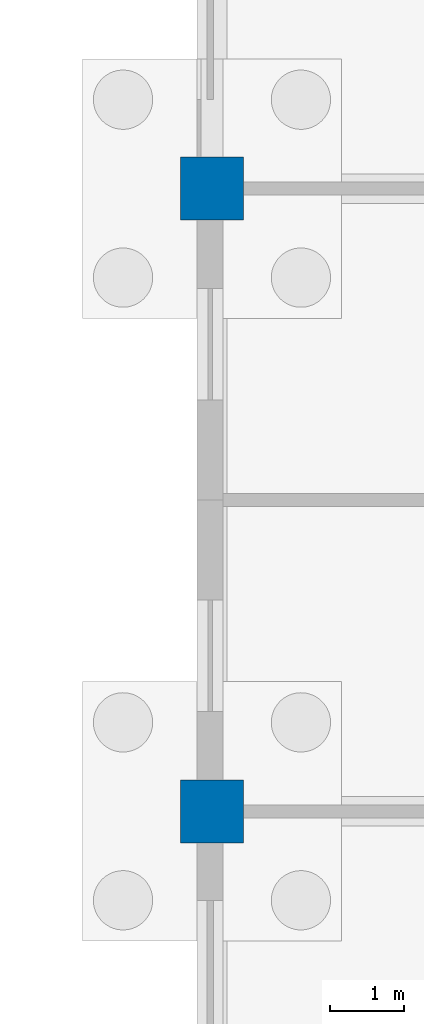
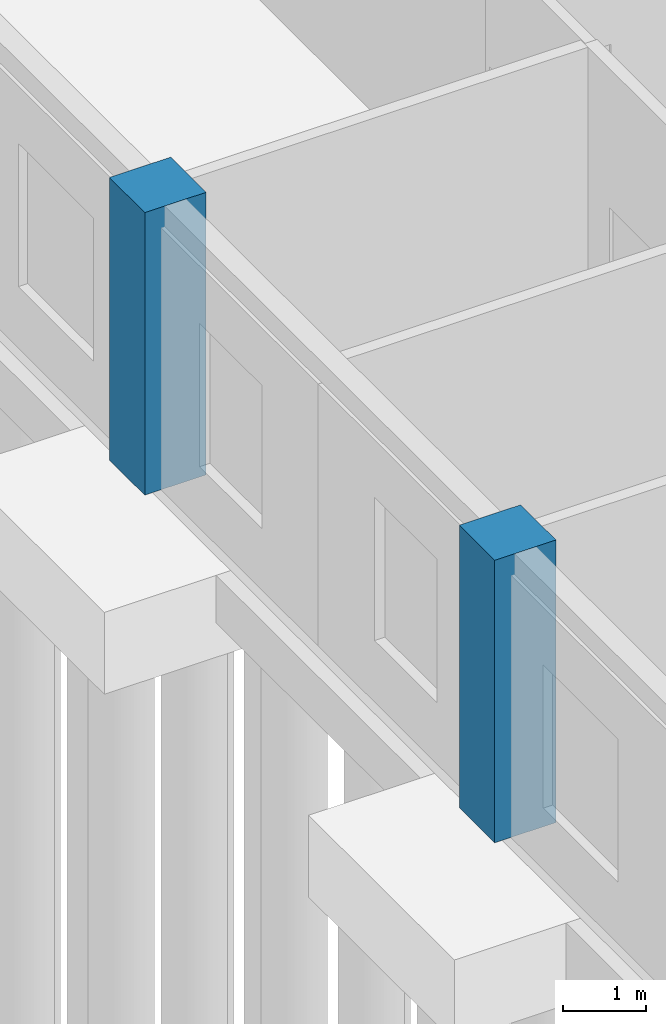
# One storey, part 27 of 138: 2 columns.
"""IFC4 building model written with IfcOpenShell, lengths in metres."""

import ifcopenshell
import ifcopenshell.guid

model = None  # the IFC model being written
_history = None  # IfcOwnerHistory: only IFC2X3 demands one
_inside = {}  # id of a spatial element -> (the spatial element, [elements in it])
_under = {}  # id of a project, library or spatial element -> (it, [spatial elements below it])
_declared = {}  # id of a project -> (the project, [libraries it declares])
_typed = {}  # id of a type object -> (the type object, [elements of that type])
_made_of = {}  # id of a material, layer set ... -> (it, [elements and type objects made of it])


def new_model(schema):
    """Start an empty IFC model of exactly this schema.

    Asked for "IFC4X3", IfcOpenShell would pick the latest addendum, in which some entities
    have other attributes; the version numbers below select the first issue.
    IFC2X3 requires an IfcOwnerHistory on every rooted entity: one is made here for all.
    """
    global model, _history
    if schema == "IFC4X3":
        model = ifcopenshell.file(schema_version=(4, 3, 0, 0))
    else:
        model = ifcopenshell.file(schema=schema)
    _inside.clear()
    _under.clear()
    _declared.clear()
    _typed.clear()
    _made_of.clear()
    _history = None
    if model.schema == "IFC2X3":
        org = make("IfcOrganization", Name="unknown")
        user = make(
            "IfcPersonAndOrganization",
            ThePerson=make("IfcPerson", FamilyName="unknown"),
            TheOrganization=org,
        )
        app = make(
            "IfcApplication",
            ApplicationDeveloper=org,
            Version="unknown",
            ApplicationFullName="unknown",
            ApplicationIdentifier="unknown",
        )
        _history = make(
            "IfcOwnerHistory",
            OwningUser=user,
            OwningApplication=app,
            ChangeAction="ADDED",
            CreationDate=0,
        )
    return model


def make(cls, **values):
    """One entity of the class cls with the attributes given. An attribute that is None is left unset."""
    return model.create_entity(
        cls, **{name: value for name, value in values.items() if value is not None}
    )


def rooted(cls, **values):
    """An entity with a GlobalId (a new one), such as an element, a storey or a relation."""
    return make(cls, GlobalId=ifcopenshell.guid.new(), OwnerHistory=_history, **values)


def si_unit(unit_type, name, prefix=None):
    """IfcSIUnit, for example si_unit("LENGTHUNIT", "METRE", prefix="MILLI")."""
    return make("IfcSIUnit", UnitType=unit_type, Prefix=prefix, Name=name)


def assignment(units):
    """IfcUnitAssignment: the units of a project."""
    return None if units is None else make("IfcUnitAssignment", Units=units)


def point(xyz):
    """IfcCartesianPoint."""
    return None if xyz is None else make("IfcCartesianPoint", Coordinates=xyz)


def direction(xyz):
    """IfcDirection."""
    return None if xyz is None else make("IfcDirection", DirectionRatios=xyz)


def frame(location, z_axis=None, x_axis=None):
    """IfcAxis2Placement3D, a coordinate frame: its origin and axes. An axis left out is left unset."""
    return make(
        "IfcAxis2Placement3D",
        Location=point(location),
        Axis=direction(z_axis),
        RefDirection=direction(x_axis),
    )


def frame_2d(location, x_axis=None):
    """IfcAxis2Placement2D, a coordinate frame in the plane: its origin and x axis."""
    return make(
        "IfcAxis2Placement2D", Location=point(location), RefDirection=direction(x_axis)
    )


def origin():
    """The frame at (0, 0, 0) with its axes left unset."""
    return frame((0.0, 0.0, 0.0))


def origin_2d():
    """The frame at (0, 0) in the plane with its x axis left unset."""
    return frame_2d((0.0, 0.0))


def place(relative_to, where):
    """IfcLocalPlacement: puts the frame where relative to a parent placement (None: the world)."""
    return make(
        "IfcLocalPlacement", PlacementRelTo=relative_to, RelativePlacement=where
    )


def context(
    kind, dimensions, precision=None, world=None, true_north=None, identifier=None
):
    """IfcGeometricRepresentationContext, for example the 3D "Model" context."""
    return make(
        "IfcGeometricRepresentationContext",
        ContextIdentifier=identifier,
        ContextType=kind,
        CoordinateSpaceDimension=dimensions,
        Precision=precision,
        WorldCoordinateSystem=world,
        TrueNorth=true_north,
    )


def subcontext(parent, identifier, kind, view, scale=None):
    """IfcGeometricRepresentationSubContext, for example "Body" below "Model"."""
    return make(
        "IfcGeometricRepresentationSubContext",
        ContextIdentifier=identifier,
        ContextType=kind,
        ParentContext=parent,
        TargetScale=scale,
        TargetView=view,
    )


def project(units=None, contexts=None):
    """IfcProject with its units and contexts."""
    return rooted(
        "IfcProject",
        Name="project",
        RepresentationContexts=contexts,
        UnitsInContext=assignment(units),
    )


def spatial(cls, under=None, at=None, **own):
    """A site, building, storey or space (cls), placed at a placement, below another one or the project."""
    s = rooted(cls, ObjectPlacement=at, **own)
    if under is not None:
        _under.setdefault(under.id(), (under, []))[1].append(s)
    return s


def profile(cls, at=None, kind="AREA", **sizes):
    """A parametric profile (cls). Its sizes go by their IFC names, for example OverallWidth=200.0."""
    return make(cls, ProfileType=kind, Position=at, **sizes)


def rectangle(**sizes):
    """IfcRectangleProfileDef."""
    return profile("IfcRectangleProfileDef", **sizes)


def extrude(swept, where, along, depth):
    """IfcExtrudedAreaSolid: the profile swept, set in the frame where, extruded along a direction by depth."""
    return make(
        "IfcExtrudedAreaSolid",
        SweptArea=swept,
        Position=where,
        ExtrudedDirection=direction(along),
        Depth=depth,
    )


def shape(context_of_items, identifier, shape_type, items):
    """IfcShapeRepresentation: the items that make up one representation, for example the "Body"."""
    return make(
        "IfcShapeRepresentation",
        ContextOfItems=context_of_items,
        RepresentationIdentifier=identifier,
        RepresentationType=shape_type,
        Items=items,
    )


def material(Name=None, Category=None):
    """IfcMaterial."""
    return make("IfcMaterial", Name=Name, Category=Category)


def material_profile(
    of_material, cross_section, Name=None, Category=None, Priority=None
):
    """IfcMaterialProfile: a cross section and its material."""
    return make(
        "IfcMaterialProfile",
        Name=Name,
        Material=of_material,
        Profile=cross_section,
        Priority=Priority,
        Category=Category,
    )


def profile_set(profiles, Name=None, composite=None):
    """IfcMaterialProfileSet."""
    return make(
        "IfcMaterialProfileSet",
        Name=Name,
        MaterialProfiles=profiles,
        CompositeProfile=composite,
    )


def made_of(thing, what):
    """Note that an element or type object is made of a material, layer set ...; save() writes the relation."""
    if what is not None:
        _made_of.setdefault(what.id(), (what, []))[1].append(thing)
    return thing


def type_object(cls, material=None, **own):
    """A type object (cls), such as IfcWallType, which elements share."""
    return made_of(rooted(cls, **own), material)


def element(
    cls,
    number,
    at=None,
    inside=None,
    cuts=None,
    type_object=None,
    material=None,
    context=None,
    identifier="Body",
    shape_type=None,
    held_by="IfcProductDefinitionShape",
    body=None,
    shapes=None,
    **own,
):
    """One element of the class cls, such as IfcWall. Its Tag is "e" and its number.

    at: its placement. inside: the storey or other place that contains it. cuts: it is an
    opening in that element (IfcRelVoidsElement). A single representation is given by context,
    identifier, shape_type and body (its items); several are given by shapes. held_by: the class
    of the entity that holds the representations. save() writes the other relations.
    """
    e = rooted(cls, Tag="e%d" % number, ObjectPlacement=at, **own)
    if body is not None:
        shapes = [shape(context, identifier, shape_type, body)]
    if shapes is not None:
        e.Representation = make(held_by, Representations=shapes)
    if inside is not None:
        _inside.setdefault(inside.id(), (inside, []))[1].append(e)
    if cuts is not None:
        rooted(
            "IfcRelVoidsElement", RelatingBuildingElement=cuts, RelatedOpeningElement=e
        )
    if type_object is not None:
        _typed.setdefault(type_object.id(), (type_object, []))[1].append(e)
    return made_of(e, material)


def aggregate(whole, parts):
    """IfcRelAggregates: a whole, such as a stair, and the parts it consists of."""
    return rooted("IfcRelAggregates", RelatingObject=whole, RelatedObjects=parts)


def save(model, path):
    """Write the relations noted so far, then the file.

    IfcRelAggregates (storeys below a building ...), IfcRelContainedInSpatialStructure (elements
    in a storey), IfcRelDefinesByType, IfcRelAssociatesMaterial and IfcRelDeclares: one each for
    every whole, place, type object, material and project.
    """
    for whole, parts in _under.values():
        aggregate(whole, parts)
    for where, things in _inside.values():
        rooted(
            "IfcRelContainedInSpatialStructure",
            RelatedElements=things,
            RelatingStructure=where,
        )
    for kind, things in _typed.values():
        rooted("IfcRelDefinesByType", RelatedObjects=things, RelatingType=kind)
    for what, things in _made_of.values():
        rooted("IfcRelAssociatesMaterial", RelatedObjects=things, RelatingMaterial=what)
    for by, libraries in _declared.values():
        rooted("IfcRelDeclares", RelatingContext=by, RelatedDefinitions=libraries)
    model.write(path)


model = new_model("IFC4")

# Units and contexts
model_context = context("Model", 3, precision=1e-05, world=origin(), true_north=direction((0.0, 1.0)))
body_context = subcontext(model_context, "Body", "Model", "MODEL_VIEW")
ifc_project = project(units=[si_unit("LENGTHUNIT", "METRE"), si_unit("AREAUNIT", "SQUARE_METRE"), si_unit("VOLUMEUNIT", "CUBIC_METRE"), si_unit("PLANEANGLEUNIT", "RADIAN"), si_unit("MASSUNIT", "GRAM", prefix="KILO")], contexts=[model_context])

# Site, building, storey
site_placement = place(None, origin())
site = spatial("IfcSite", under=ifc_project, at=site_placement, CompositionType="ELEMENT")
building_placement = place(site_placement, origin())
building = spatial("IfcBuilding", under=site, at=building_placement, Name="Yavir Park General Hospital", CompositionType="ELEMENT")
storey_placement = place(building_placement, origin())
storey = spatial("IfcBuildingStorey", under=building, at=storey_placement, Name="L00", CompositionType="ELEMENT", Elevation=0.0)

# Columns
ifc_material = material(Name="Concrete C40/50", Category="concrete")
ifc_material_profile = material_profile(ifc_material, rectangle(XDim=0.85009765625, YDim=0.85009765625, at=origin_2d()), Name="RC850x850")
ifc_profile_set = profile_set([ifc_material_profile], Name="Concrete C40/50")
column_type = type_object("IfcColumnType", Name="RC COLUMN 850x850", PredefinedType="COLUMN", material=ifc_profile_set)
for number, where, z_axis, x_axis, name in (
    (1, (142.800048828125, 92.39990234375, 0.0), (0.0, 0.0, 1.0), (1.0, 0.0, 0.0), "C:L00:18M"),
    (2, (142.800048828125, 100.800048828125, 0.0), (0.0, 0.0, 1.0), (1.0, 0.0, 0.0), "C:L00:18N"),
):
    element("IfcColumn", number, at=place(storey_placement, frame(where, z_axis=z_axis, x_axis=x_axis)), inside=storey, type_object=column_type, Name=name, PredefinedType="COLUMN", context=body_context, shape_type="SweptSolid", body=[
        extrude(rectangle(XDim=0.85009765625, YDim=0.85009765625, at=origin_2d()), origin(), (0.0, 0.0, 1.0), 4.139892578125),
    ])

save(model, "model.ifc")
